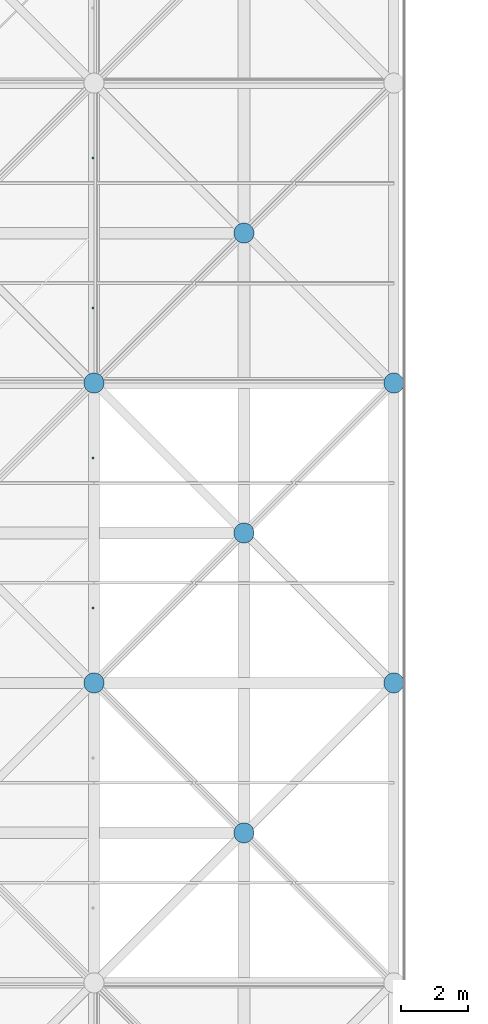
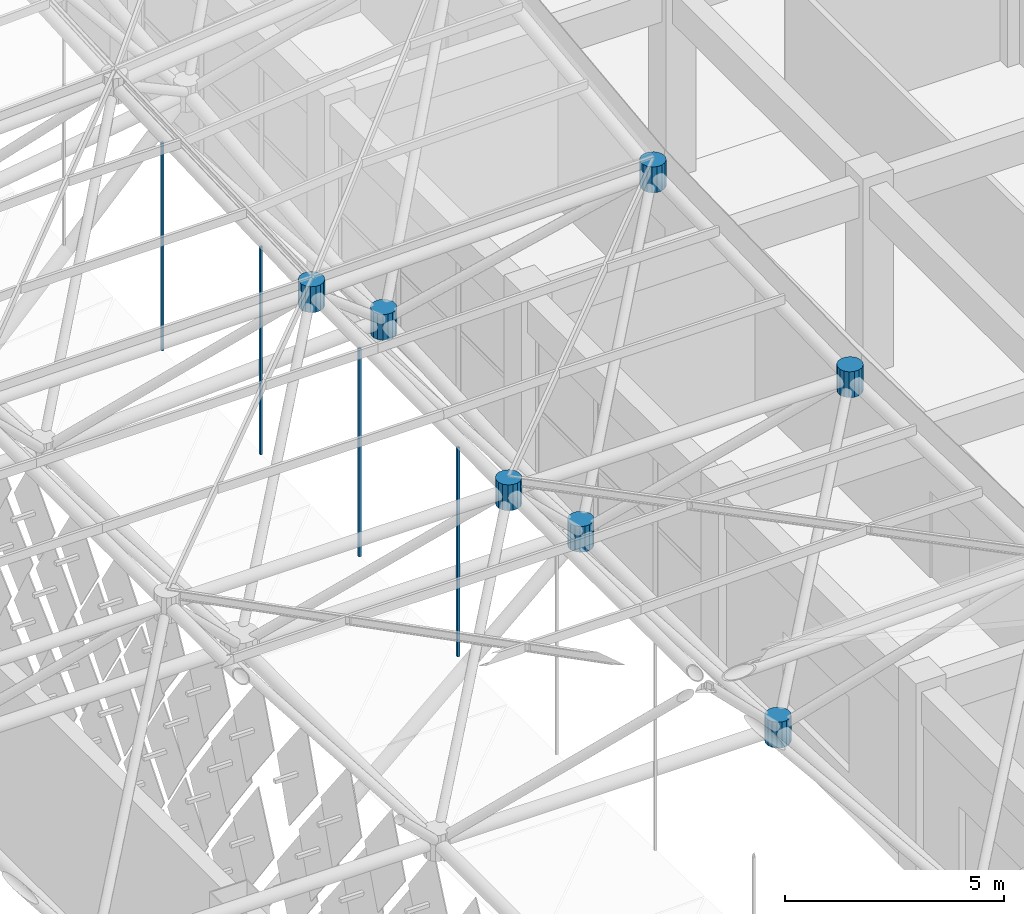
# One storey, part 338 of 437: 11 discrete accessories.
"""IFC4 building model written with IfcOpenShell, lengths in metres."""

from ifc_helpers import new_model, si_unit, direction, frame, origin, place, context, subcontext, project, spatial, polyline, outline, extrude, material, type_object, element, save


model = new_model("IFC4")

# Units and contexts
model_context = context("Model", 3, precision=1e-05, world=origin(), true_north=direction((0.0, 1.0)))
body_context = subcontext(model_context, "Body", "Model", "MODEL_VIEW")
ifc_project = project(units=[si_unit("LENGTHUNIT", "METRE"), si_unit("AREAUNIT", "SQUARE_METRE"), si_unit("VOLUMEUNIT", "CUBIC_METRE"), si_unit("PLANEANGLEUNIT", "RADIAN"), si_unit("MASSUNIT", "GRAM", prefix="KILO")], contexts=[model_context])

# Site, building, storey
site_placement = place(None, origin())
site = spatial("IfcSite", under=ifc_project, at=site_placement, CompositionType="ELEMENT")
building_placement = place(site_placement, origin())
building = spatial("IfcBuilding", under=site, at=building_placement, Name="Opaline Strait Convention Centre", CompositionType="ELEMENT")
storey_placement = place(building_placement, frame((0.0, 0.0, 11.5)))
storey = spatial("IfcBuildingStorey", under=building, at=storey_placement, Name="L02", CompositionType="ELEMENT", Elevation=11.5)

# Discrete accessories
ifc_material_1 = material(Name="Steel Q355B", Category="steel")
discrete_accessory_type_1 = type_object("IfcDiscreteAccessoryType", Name="Soffit hanger 60x60 steel", PredefinedType="BRACKET", material=ifc_material_1)
discrete_accessory_1_placement = place(storey_placement, frame((0.0, 0.0, 11.994384765625)))
element("IfcDiscreteAccessory", 1, at=discrete_accessory_1_placement, inside=storey, type_object=discrete_accessory_type_1, Name="Soffit hanger", PredefinedType="BRACKET", context=body_context, shape_type="SweptSolid", body=[
    extrude(outline(polyline([(265.43505859375, 105.719970703125), (265.4951171875, 105.719970703125), (265.4951171875, 105.780029296875), (265.43505859375, 105.780029296875), (265.43505859375, 105.719970703125)])), origin(), (0.0, 0.0, 1.0), 5.8310546875),
])
discrete_accessory_2_placement = place(storey_placement, frame((0.0, 0.0, 12.051513671875)))
element("IfcDiscreteAccessory", 2, at=discrete_accessory_2_placement, inside=storey, type_object=discrete_accessory_type_1, Name="Soffit hanger", PredefinedType="BRACKET", context=body_context, shape_type="SweptSolid", body=[
    extrude(outline(polyline([(265.43505859375, 110.219970703125), (265.4951171875, 110.219970703125), (265.4951171875, 110.280029296875), (265.43505859375, 110.280029296875), (265.43505859375, 110.219970703125)])), origin(), (0.0, 0.0, 1.0), 5.806640625),
])
discrete_accessory_3_placement = place(storey_placement, frame((0.0, 0.0, 12.1640625)))
element("IfcDiscreteAccessory", 3, at=discrete_accessory_3_placement, inside=storey, type_object=discrete_accessory_type_1, Name="Soffit hanger", PredefinedType="BRACKET", context=body_context, shape_type="SweptSolid", body=[
    extrude(outline(polyline([(265.43505859375, 114.719970703125), (265.4951171875, 114.719970703125), (265.4951171875, 114.780029296875), (265.43505859375, 114.780029296875), (265.43505859375, 114.719970703125)])), origin(), (0.0, 0.0, 1.0), 5.79443359375),
])
discrete_accessory_4_placement = place(storey_placement, frame((0.0, 0.0, 12.332763671875)))
element("IfcDiscreteAccessory", 4, at=discrete_accessory_4_placement, inside=storey, type_object=discrete_accessory_type_1, Name="Soffit hanger", PredefinedType="BRACKET", context=body_context, shape_type="SweptSolid", body=[
    extrude(outline(polyline([(265.43505859375, 119.219970703125), (265.4951171875, 119.219970703125), (265.4951171875, 119.280029296875), (265.43505859375, 119.280029296875), (265.43505859375, 119.219970703125)])), origin(), (0.0, 0.0, 1.0), 5.7939453125),
])
ifc_material_2 = material(Name="Cast steel ZG300-500H (300 MPa)", Category="steel")
discrete_accessory_type_2 = type_object("IfcDiscreteAccessoryType", Name="Space frame node hub D600", PredefinedType="USERDEFINED", material=ifc_material_2)
discrete_accessory_5_placement = place(storey_placement, frame((0.0, 0.0, 17.611572265625)))
element("IfcDiscreteAccessory", 5, at=discrete_accessory_5_placement, inside=storey, type_object=discrete_accessory_type_2, Name="Top node 21/8", ObjectType="NODE HUB", PredefinedType="USERDEFINED", context=body_context, shape_type="SweptSolid", body=[
    extrude(outline(polyline([(265.800048828125, 103.559814453125), (265.75439453125, 103.669921875), (265.669921875, 103.75439453125), (265.559814453125, 103.800048828125), (265.440185546875, 103.800048828125), (265.330078125, 103.75439453125), (265.24560546875, 103.669921875), (265.199951171875, 103.559814453125), (265.199951171875, 103.440185546875), (265.24560546875, 103.330078125), (265.330078125, 103.24560546875), (265.440185546875, 103.199951171875), (265.559814453125, 103.199951171875), (265.669921875, 103.24560546875), (265.75439453125, 103.330078125), (265.800048828125, 103.440185546875), (265.800048828125, 103.559814453125)])), origin(), (0.0, 0.0, 1.0), 0.719970703125),
])
discrete_accessory_6_placement = place(storey_placement, frame((0.0, 0.0, 17.677001953125)))
element("IfcDiscreteAccessory", 6, at=discrete_accessory_6_placement, inside=storey, type_object=discrete_accessory_type_2, Name="Top node 21/9", ObjectType="NODE HUB", PredefinedType="USERDEFINED", context=body_context, shape_type="SweptSolid", body=[
    extrude(outline(polyline([(265.800048828125, 112.559814453125), (265.75439453125, 112.669921875), (265.669921875, 112.75439453125), (265.559814453125, 112.800048828125), (265.440185546875, 112.800048828125), (265.330078125, 112.75439453125), (265.24560546875, 112.669921875), (265.199951171875, 112.559814453125), (265.199951171875, 112.440185546875), (265.24560546875, 112.330078125), (265.330078125, 112.24560546875), (265.440185546875, 112.199951171875), (265.559814453125, 112.199951171875), (265.669921875, 112.24560546875), (265.75439453125, 112.330078125), (265.800048828125, 112.440185546875), (265.800048828125, 112.559814453125)])), origin(), (0.0, 0.0, 1.0), 0.719970703125),
])
discrete_accessory_7_placement = place(storey_placement, frame((0.0, 0.0, 17.611572265625)))
element("IfcDiscreteAccessory", 7, at=discrete_accessory_7_placement, inside=storey, type_object=discrete_accessory_type_2, Name="Top node 22/8", ObjectType="NODE HUB", PredefinedType="USERDEFINED", context=body_context, shape_type="SweptSolid", body=[
    extrude(outline(polyline([(274.800048828125, 103.559814453125), (274.75439453125, 103.669921875), (274.669921875, 103.75439453125), (274.559814453125, 103.800048828125), (274.440185546875, 103.800048828125), (274.330078125, 103.75439453125), (274.24560546875, 103.669921875), (274.199951171875, 103.559814453125), (274.199951171875, 103.440185546875), (274.24560546875, 103.330078125), (274.330078125, 103.24560546875), (274.440185546875, 103.199951171875), (274.559814453125, 103.199951171875), (274.669921875, 103.24560546875), (274.75439453125, 103.330078125), (274.800048828125, 103.440185546875), (274.800048828125, 103.559814453125)])), origin(), (0.0, 0.0, 1.0), 0.719970703125),
])
discrete_accessory_8_placement = place(storey_placement, frame((0.0, 0.0, 17.8642578125)))
element("IfcDiscreteAccessory", 8, at=discrete_accessory_8_placement, inside=storey, type_object=discrete_accessory_type_2, Name="Top node 22/9", ObjectType="NODE HUB", PredefinedType="USERDEFINED", context=body_context, shape_type="SweptSolid", body=[
    extrude(outline(polyline([(274.800048828125, 112.559814453125), (274.75439453125, 112.669921875), (274.669921875, 112.75439453125), (274.559814453125, 112.800048828125), (274.440185546875, 112.800048828125), (274.330078125, 112.75439453125), (274.24560546875, 112.669921875), (274.199951171875, 112.559814453125), (274.199951171875, 112.440185546875), (274.24560546875, 112.330078125), (274.330078125, 112.24560546875), (274.440185546875, 112.199951171875), (274.559814453125, 112.199951171875), (274.669921875, 112.24560546875), (274.75439453125, 112.330078125), (274.800048828125, 112.440185546875), (274.800048828125, 112.559814453125)])), origin(), (0.0, 0.0, 1.0), 0.719970703125),
])
discrete_accessory_9_placement = place(storey_placement, frame((0.0, 0.0, 12.14892578125)))
element("IfcDiscreteAccessory", 9, at=discrete_accessory_9_placement, inside=storey, type_object=discrete_accessory_type_2, Name="Bottom node 21/7", ObjectType="NODE HUB", PredefinedType="USERDEFINED", context=body_context, shape_type="SweptSolid", body=[
    extrude(outline(polyline([(270.300048828125, 99.059814453125), (270.25439453125, 99.169921875), (270.169921875, 99.25439453125), (270.059814453125, 99.300048828125), (269.940185546875, 99.300048828125), (269.830078125, 99.25439453125), (269.74560546875, 99.169921875), (269.699951171875, 99.059814453125), (269.699951171875, 98.940185546875), (269.74560546875, 98.830078125), (269.830078125, 98.74560546875), (269.940185546875, 98.699951171875), (270.059814453125, 98.699951171875), (270.169921875, 98.74560546875), (270.25439453125, 98.830078125), (270.300048828125, 98.940185546875), (270.300048828125, 99.059814453125)])), origin(), (0.0, 0.0, 1.0), 0.719970703125),
])
discrete_accessory_10_placement = place(storey_placement, frame((0.0, 0.0, 12.14892578125)))
element("IfcDiscreteAccessory", 10, at=discrete_accessory_10_placement, inside=storey, type_object=discrete_accessory_type_2, Name="Bottom node 21/8", ObjectType="NODE HUB", PredefinedType="USERDEFINED", context=body_context, shape_type="SweptSolid", body=[
    extrude(outline(polyline([(270.300048828125, 108.059814453125), (270.25439453125, 108.169921875), (270.169921875, 108.25439453125), (270.059814453125, 108.300048828125), (269.940185546875, 108.300048828125), (269.830078125, 108.25439453125), (269.74560546875, 108.169921875), (269.699951171875, 108.059814453125), (269.699951171875, 107.940185546875), (269.74560546875, 107.830078125), (269.830078125, 107.74560546875), (269.940185546875, 107.699951171875), (270.059814453125, 107.699951171875), (270.169921875, 107.74560546875), (270.25439453125, 107.830078125), (270.300048828125, 107.940185546875), (270.300048828125, 108.059814453125)])), origin(), (0.0, 0.0, 1.0), 0.719970703125),
])
discrete_accessory_11_placement = place(storey_placement, frame((0.0, 0.0, 12.599365234375)))
element("IfcDiscreteAccessory", 11, at=discrete_accessory_11_placement, inside=storey, type_object=discrete_accessory_type_2, Name="Bottom node 21/9", ObjectType="NODE HUB", PredefinedType="USERDEFINED", context=body_context, shape_type="SweptSolid", body=[
    extrude(outline(polyline([(270.300048828125, 117.059814453125), (270.25439453125, 117.169921875), (270.169921875, 117.25439453125), (270.059814453125, 117.300048828125), (269.940185546875, 117.300048828125), (269.830078125, 117.25439453125), (269.74560546875, 117.169921875), (269.699951171875, 117.059814453125), (269.699951171875, 116.940185546875), (269.74560546875, 116.830078125), (269.830078125, 116.74560546875), (269.940185546875, 116.699951171875), (270.059814453125, 116.699951171875), (270.169921875, 116.74560546875), (270.25439453125, 116.830078125), (270.300048828125, 116.940185546875), (270.300048828125, 117.059814453125)])), origin(), (0.0, 0.0, 1.0), 0.719970703125),
])

save(model, "model.ifc")
